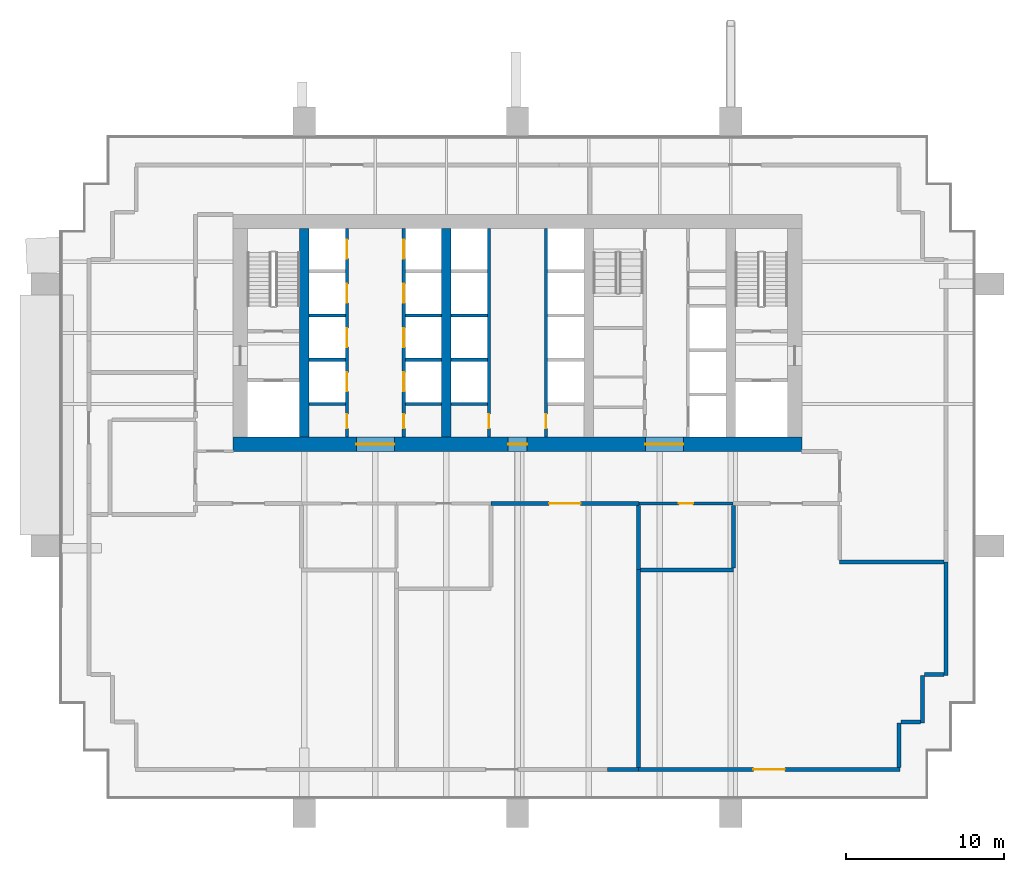
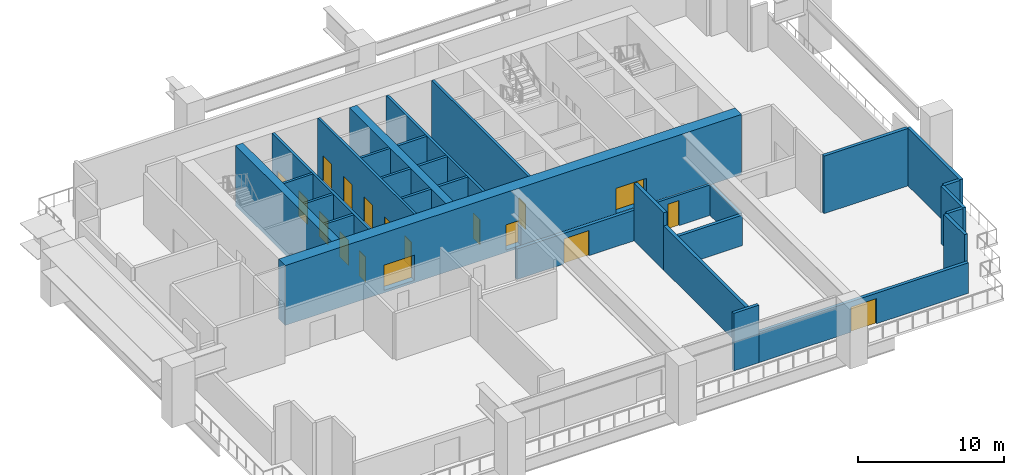
# One storey, part 3 of 9: 30 walls, 18 doors, 18 openings.
"""IFC4 building model written with IfcOpenShell, lengths in metres."""

import ifcopenshell
import ifcopenshell.guid

model = None  # the IFC model being written
_history = None  # IfcOwnerHistory: only IFC2X3 demands one
_inside = {}  # id of a spatial element -> (the spatial element, [elements in it])
_under = {}  # id of a project, library or spatial element -> (it, [spatial elements below it])
_declared = {}  # id of a project -> (the project, [libraries it declares])
_typed = {}  # id of a type object -> (the type object, [elements of that type])
_made_of = {}  # id of a material, layer set ... -> (it, [elements and type objects made of it])


def new_model(schema):
    """Start an empty IFC model of exactly this schema.

    Asked for "IFC4X3", IfcOpenShell would pick the latest addendum, in which some entities
    have other attributes; the version numbers below select the first issue.
    IFC2X3 requires an IfcOwnerHistory on every rooted entity: one is made here for all.
    """
    global model, _history
    if schema == "IFC4X3":
        model = ifcopenshell.file(schema_version=(4, 3, 0, 0))
    else:
        model = ifcopenshell.file(schema=schema)
    _inside.clear()
    _under.clear()
    _declared.clear()
    _typed.clear()
    _made_of.clear()
    _history = None
    if model.schema == "IFC2X3":
        org = make("IfcOrganization", Name="unknown")
        user = make(
            "IfcPersonAndOrganization",
            ThePerson=make("IfcPerson", FamilyName="unknown"),
            TheOrganization=org,
        )
        app = make(
            "IfcApplication",
            ApplicationDeveloper=org,
            Version="unknown",
            ApplicationFullName="unknown",
            ApplicationIdentifier="unknown",
        )
        _history = make(
            "IfcOwnerHistory",
            OwningUser=user,
            OwningApplication=app,
            ChangeAction="ADDED",
            CreationDate=0,
        )
    return model


def make(cls, **values):
    """One entity of the class cls with the attributes given. An attribute that is None is left unset."""
    return model.create_entity(
        cls, **{name: value for name, value in values.items() if value is not None}
    )


def rooted(cls, **values):
    """An entity with a GlobalId (a new one), such as an element, a storey or a relation."""
    return make(cls, GlobalId=ifcopenshell.guid.new(), OwnerHistory=_history, **values)


def si_unit(unit_type, name, prefix=None):
    """IfcSIUnit, for example si_unit("LENGTHUNIT", "METRE", prefix="MILLI")."""
    return make("IfcSIUnit", UnitType=unit_type, Prefix=prefix, Name=name)


def assignment(units):
    """IfcUnitAssignment: the units of a project."""
    return None if units is None else make("IfcUnitAssignment", Units=units)


def point(xyz):
    """IfcCartesianPoint."""
    return None if xyz is None else make("IfcCartesianPoint", Coordinates=xyz)


def direction(xyz):
    """IfcDirection."""
    return None if xyz is None else make("IfcDirection", DirectionRatios=xyz)


def frame(location, z_axis=None, x_axis=None):
    """IfcAxis2Placement3D, a coordinate frame: its origin and axes. An axis left out is left unset."""
    return make(
        "IfcAxis2Placement3D",
        Location=point(location),
        Axis=direction(z_axis),
        RefDirection=direction(x_axis),
    )


def frame_2d(location, x_axis=None):
    """IfcAxis2Placement2D, a coordinate frame in the plane: its origin and x axis."""
    return make(
        "IfcAxis2Placement2D", Location=point(location), RefDirection=direction(x_axis)
    )


def origin():
    """The frame at (0, 0, 0) with its axes left unset."""
    return frame((0.0, 0.0, 0.0))


def place(relative_to, where):
    """IfcLocalPlacement: puts the frame where relative to a parent placement (None: the world)."""
    return make(
        "IfcLocalPlacement", PlacementRelTo=relative_to, RelativePlacement=where
    )


def context(
    kind, dimensions, precision=None, world=None, true_north=None, identifier=None
):
    """IfcGeometricRepresentationContext, for example the 3D "Model" context."""
    return make(
        "IfcGeometricRepresentationContext",
        ContextIdentifier=identifier,
        ContextType=kind,
        CoordinateSpaceDimension=dimensions,
        Precision=precision,
        WorldCoordinateSystem=world,
        TrueNorth=true_north,
    )


def subcontext(parent, identifier, kind, view, scale=None):
    """IfcGeometricRepresentationSubContext, for example "Body" below "Model"."""
    return make(
        "IfcGeometricRepresentationSubContext",
        ContextIdentifier=identifier,
        ContextType=kind,
        ParentContext=parent,
        TargetScale=scale,
        TargetView=view,
    )


def project(units=None, contexts=None):
    """IfcProject with its units and contexts."""
    return rooted(
        "IfcProject",
        Name="project",
        RepresentationContexts=contexts,
        UnitsInContext=assignment(units),
    )


def spatial(cls, under=None, at=None, **own):
    """A site, building, storey or space (cls), placed at a placement, below another one or the project."""
    s = rooted(cls, ObjectPlacement=at, **own)
    if under is not None:
        _under.setdefault(under.id(), (under, []))[1].append(s)
    return s


def profile(cls, at=None, kind="AREA", **sizes):
    """A parametric profile (cls). Its sizes go by their IFC names, for example OverallWidth=200.0."""
    return make(cls, ProfileType=kind, Position=at, **sizes)


def rectangle(**sizes):
    """IfcRectangleProfileDef."""
    return profile("IfcRectangleProfileDef", **sizes)


def extrude(swept, where, along, depth):
    """IfcExtrudedAreaSolid: the profile swept, set in the frame where, extruded along a direction by depth."""
    return make(
        "IfcExtrudedAreaSolid",
        SweptArea=swept,
        Position=where,
        ExtrudedDirection=direction(along),
        Depth=depth,
    )


def shape(context_of_items, identifier, shape_type, items):
    """IfcShapeRepresentation: the items that make up one representation, for example the "Body"."""
    return make(
        "IfcShapeRepresentation",
        ContextOfItems=context_of_items,
        RepresentationIdentifier=identifier,
        RepresentationType=shape_type,
        Items=items,
    )


def material(Name=None, Category=None):
    """IfcMaterial."""
    return make("IfcMaterial", Name=Name, Category=Category)


def layer(
    of_material, thickness, ventilated=None, Name=None, Category=None, Priority=None
):
    """IfcMaterialLayer: one layer of a wall or slab, of a material (None: an air gap)."""
    return make(
        "IfcMaterialLayer",
        Material=of_material,
        LayerThickness=thickness,
        IsVentilated=ventilated,
        Name=Name,
        Category=Category,
        Priority=Priority,
    )


def layer_set(layers, Name=None):
    """IfcMaterialLayerSet."""
    return make("IfcMaterialLayerSet", MaterialLayers=layers, LayerSetName=Name)


def made_of(thing, what):
    """Note that an element or type object is made of a material, layer set ...; save() writes the relation."""
    if what is not None:
        _made_of.setdefault(what.id(), (what, []))[1].append(thing)
    return thing


def type_object(cls, material=None, **own):
    """A type object (cls), such as IfcWallType, which elements share."""
    return made_of(rooted(cls, **own), material)


def element(
    cls,
    number,
    at=None,
    inside=None,
    cuts=None,
    type_object=None,
    material=None,
    context=None,
    identifier="Body",
    shape_type=None,
    held_by="IfcProductDefinitionShape",
    body=None,
    shapes=None,
    **own,
):
    """One element of the class cls, such as IfcWall. Its Tag is "e" and its number.

    at: its placement. inside: the storey or other place that contains it. cuts: it is an
    opening in that element (IfcRelVoidsElement). A single representation is given by context,
    identifier, shape_type and body (its items); several are given by shapes. held_by: the class
    of the entity that holds the representations. save() writes the other relations.
    """
    e = rooted(cls, Tag="e%d" % number, ObjectPlacement=at, **own)
    if body is not None:
        shapes = [shape(context, identifier, shape_type, body)]
    if shapes is not None:
        e.Representation = make(held_by, Representations=shapes)
    if inside is not None:
        _inside.setdefault(inside.id(), (inside, []))[1].append(e)
    if cuts is not None:
        rooted(
            "IfcRelVoidsElement", RelatingBuildingElement=cuts, RelatedOpeningElement=e
        )
    if type_object is not None:
        _typed.setdefault(type_object.id(), (type_object, []))[1].append(e)
    return made_of(e, material)


def fill(opening, filler):
    """IfcRelFillsElement: the door or window that sits in an opening."""
    return rooted(
        "IfcRelFillsElement",
        RelatingOpeningElement=opening,
        RelatedBuildingElement=filler,
    )


def aggregate(whole, parts):
    """IfcRelAggregates: a whole, such as a stair, and the parts it consists of."""
    return rooted("IfcRelAggregates", RelatingObject=whole, RelatedObjects=parts)


def save(model, path):
    """Write the relations noted so far, then the file.

    IfcRelAggregates (storeys below a building ...), IfcRelContainedInSpatialStructure (elements
    in a storey), IfcRelDefinesByType, IfcRelAssociatesMaterial and IfcRelDeclares: one each for
    every whole, place, type object, material and project.
    """
    for whole, parts in _under.values():
        aggregate(whole, parts)
    for where, things in _inside.values():
        rooted(
            "IfcRelContainedInSpatialStructure",
            RelatedElements=things,
            RelatingStructure=where,
        )
    for kind, things in _typed.values():
        rooted("IfcRelDefinesByType", RelatedObjects=things, RelatingType=kind)
    for what, things in _made_of.values():
        rooted("IfcRelAssociatesMaterial", RelatedObjects=things, RelatingMaterial=what)
    for by, libraries in _declared.values():
        rooted("IfcRelDeclares", RelatingContext=by, RelatedDefinitions=libraries)
    model.write(path)


model = new_model("IFC4")

# Units and contexts
model_context = context("Model", 3, precision=1e-05, world=origin(), true_north=direction((0.0, 1.0)))
body_context = subcontext(model_context, "Body", "Model", "MODEL_VIEW")
ifc_project = project(units=[si_unit("LENGTHUNIT", "METRE"), si_unit("AREAUNIT", "SQUARE_METRE"), si_unit("VOLUMEUNIT", "CUBIC_METRE"), si_unit("PLANEANGLEUNIT", "RADIAN"), si_unit("MASSUNIT", "GRAM", prefix="KILO")], contexts=[model_context])

# Site, building, storey
site_placement = place(None, origin())
site = spatial("IfcSite", under=ifc_project, at=site_placement, CompositionType="ELEMENT")
building_placement = place(site_placement, origin())
building = spatial("IfcBuilding", under=site, at=building_placement, Name="Rattan Terrace Tower", CompositionType="ELEMENT")
storey_placement = place(building_placement, frame((0.0, 0.0, 158.10009765625)))
storey = spatial("IfcBuildingStorey", under=building, at=storey_placement, Name="L36", CompositionType="ELEMENT", Elevation=158.10009765625)

# Wall, openings, doors
ifc_material_1 = material(Name="Concrete C60/75", Category="concrete")
ifc_layer_1 = layer(ifc_material_1, 0.89990234375)
ifc_layer_set_1 = layer_set([ifc_layer_1], Name="Core ring wall 900 C60/75")
wall_type_1 = type_object("IfcWallType", Name="Core ring wall 900 C60/75", PredefinedType="SHEAR", material=ifc_layer_set_1)
wall_1_placement = place(storey_placement, frame((-18.0, -7.050048828125, -0.2001953125), z_axis=(0.0, 0.0, 1.0), x_axis=(1.0, 0.0, 0.0)))
wall_1 = element("IfcWall", 1, at=wall_1_placement, inside=storey, type_object=wall_type_1, Name="Rear core wall south", PredefinedType="SHEAR", context=body_context, shape_type="SweptSolid", body=[
    extrude(rectangle(XDim=36.0, YDim=0.89990234375, at=frame_2d((18.0, 0.0))), origin(), (0.0, 0.0, 1.0), 5.0),
])
opening_1_placement = place(wall_1_placement, frame((7.800048828125, 0.0, 0.199951171875)))
opening_1 = element("IfcOpeningElement", 2, at=opening_1_placement, cuts=wall_1, Name="Opening L36-D007", PredefinedType="OPENING", context=body_context, shape_type="SweptSolid", body=[
    extrude(rectangle(XDim=2.39990234375, YDim=2.10009765625, at=frame_2d((1.199951171875, 1.050048828125))), frame((0.0, 0.46044921875, 0.0), z_axis=(0.0, -1.0, 0.0), x_axis=(1.0, 0.0, 0.0)), (0.0, 0.0, 1.0), 0.9208984375),
])
opening_2_placement = place(wall_1_placement, frame((17.39990234375, 0.0, 0.199951171875)))
opening_2 = element("IfcOpeningElement", 3, at=opening_2_placement, cuts=wall_1, Name="Opening L36-D010", PredefinedType="OPENING", context=body_context, shape_type="SweptSolid", body=[
    extrude(rectangle(XDim=1.199951171875, YDim=2.10009765625, at=frame_2d((0.60009765625, 1.050048828125))), frame((0.0, 0.46044921875, 0.0), z_axis=(0.0, -1.0, 0.0), x_axis=(1.0, 0.0, 0.0)), (0.0, 0.0, 1.0), 0.9208984375),
])
opening_3_placement = place(wall_1_placement, frame((26.10009765625, 0.0, 0.199951171875)))
opening_3 = element("IfcOpeningElement", 4, at=opening_3_placement, cuts=wall_1, Name="Opening L36-D015", PredefinedType="OPENING", context=body_context, shape_type="SweptSolid", body=[
    extrude(rectangle(XDim=2.39990234375, YDim=2.10009765625, at=frame_2d((1.199951171875, 1.050048828125))), frame((0.0, 0.46044921875, 0.0), z_axis=(0.0, -1.0, 0.0), x_axis=(1.0, 0.0, 0.0)), (0.0, 0.0, 1.0), 0.9208984375),
])
ifc_material_2 = material(Name="Hollow-metal fire door leaf")
door_type_1 = type_object("IfcDoorType", Name="Core lift lobby door 2400", OperationType="NOTDEFINED", PredefinedType="DOOR", material=ifc_material_2)
door_1_placement = place(opening_1_placement, origin())
door_1 = element("IfcDoor", 5, at=door_1_placement, inside=storey, type_object=door_type_1, Name="Door L36-D007", OperationType="DOUBLE_DOOR_DOUBLE_SWING", OverallHeight=2.10009765625, OverallWidth=2.39990234375, PredefinedType="DOOR", context=body_context, shape_type="SweptSolid", body=[
    extrude(rectangle(XDim=2.39990234375, YDim=2.10009765625, at=frame_2d((1.199951171875, 1.050048828125))), frame((0.0, 0.02490234375, 0.0), z_axis=(0.0, -1.0, 0.0), x_axis=(1.0, 0.0, 0.0)), (0.0, 0.0, 1.0), 0.050048828125),
])
fill(opening_1, door_1)
door_2_placement = place(opening_3_placement, origin())
door_2 = element("IfcDoor", 6, at=door_2_placement, inside=storey, type_object=door_type_1, Name="Door L36-D015", OperationType="DOUBLE_DOOR_DOUBLE_SWING", OverallHeight=2.10009765625, OverallWidth=2.39990234375, PredefinedType="DOOR", context=body_context, shape_type="SweptSolid", body=[
    extrude(rectangle(XDim=2.39990234375, YDim=2.10009765625, at=frame_2d((1.199951171875, 1.050048828125))), frame((0.0, 0.02490234375, 0.0), z_axis=(0.0, -1.0, 0.0), x_axis=(1.0, 0.0, 0.0)), (0.0, 0.0, 1.0), 0.050048828125),
])
fill(opening_3, door_2)
ifc_material_3 = material(Name="Hollow-metal fire door leaf")
door_type_2 = type_object("IfcDoorType", Name="Core riser door 1200", OperationType="NOTDEFINED", PredefinedType="DOOR", material=ifc_material_3)
door_3_placement = place(opening_2_placement, origin())
door_3 = element("IfcDoor", 7, at=door_3_placement, inside=storey, type_object=door_type_2, Name="Door L36-D010", OperationType="SINGLE_SWING_LEFT", OverallHeight=2.10009765625, OverallWidth=1.199951171875, PredefinedType="DOOR", context=body_context, shape_type="SweptSolid", body=[
    extrude(rectangle(XDim=1.199951171875, YDim=2.10009765625, at=frame_2d((0.60009765625, 1.050048828125))), frame((0.0, 0.02490234375, 0.0), z_axis=(0.0, -1.0, 0.0), x_axis=(1.0, 0.0, 0.0)), (0.0, 0.0, 1.0), 0.050048828125),
])
fill(opening_2, door_3)

# Walls
ifc_material_4 = material(Name="Concrete C60/75", Category="concrete")
ifc_layer_2 = layer(ifc_material_4, 0.60009765625)
ifc_layer_set_2 = layer_set([ifc_layer_2], Name="Core spine wall 600 C60/75")
wall_type_2 = type_object("IfcWallType", Name="Core spine wall 600 C60/75", PredefinedType="SHEAR", material=ifc_layer_set_2)
for number, where, z_axis, x_axis, name in (
    (8, (-13.5, -6.60009765625, -0.2001953125), (0.0, 0.0, 1.0), (0.0, 1.0, 0.0), "Core spine wall 1"),
    (9, (-4.5, -6.60009765625, -0.2001953125), (0.0, 0.0, 1.0), (0.0, 1.0, 0.0), "Core spine wall 2"),
):
    element("IfcWall", number, at=place(storey_placement, frame(where, z_axis=z_axis, x_axis=x_axis)), inside=storey, type_object=wall_type_2, Name=name, PredefinedType="SHEAR", context=body_context, shape_type="SweptSolid", body=[
        extrude(rectangle(XDim=13.2001953125, YDim=0.60009765625, at=frame_2d((6.60009765625, 0.0))), origin(), (0.0, 0.0, 1.0), 5.0),
    ])

# Wall, opening, door
ifc_material_5 = material(Name="Concrete block wall, plastered", Category="concrete")
ifc_layer_3 = layer(ifc_material_5, 0.199951171875)
ifc_layer_set_3 = layer_set([ifc_layer_3], Name="Floors Plant Wall 200")
wall_type_3 = type_object("IfcWallType", Name="Floors Plant Wall 200", PredefinedType="PARTITIONING", material=ifc_layer_set_3)
wall_2_placement = place(storey_placement, frame((13.64697265625, -10.799072265625, 0.0), z_axis=(0.0, 0.0, 1.0), x_axis=(-1.0, 0.0, 0.0)))
wall_2 = element("IfcWall", 10, at=wall_2_placement, inside=storey, type_object=wall_type_3, Name="pt-L36-007", PredefinedType="PARTITIONING", context=body_context, shape_type="SweptSolid", body=[
    extrude(rectangle(XDim=5.9599609375, YDim=0.199951171875, at=frame_2d((2.97998046875, 0.0))), origin(), (0.0, 0.0, 1.0), 2.5498046875),
])
opening_4_placement = place(wall_2_placement, frame((2.530029296875, 0.0, 0.0)))
opening_4 = element("IfcOpeningElement", 11, at=opening_4_placement, cuts=wall_2, Name="Opening L36-D112", PredefinedType="OPENING", context=body_context, shape_type="SweptSolid", body=[
    extrude(rectangle(XDim=0.89990234375, YDim=2.10009765625, at=frame_2d((0.449951171875, 1.050048828125))), frame((0.0, 0.110595703125, 0.0), z_axis=(0.0, -1.0, 0.0), x_axis=(1.0, 0.0, 0.0)), (0.0, 0.0, 1.0), 0.220947265625),
])
ifc_material_6 = material(Name="Steel fire door set", Category="steel")
door_type_3 = type_object("IfcDoorType", Name="Floors Fire Door FD60 900x2100", OperationType="NOTDEFINED", PredefinedType="DOOR", material=ifc_material_6)
door_4_placement = place(opening_4_placement, origin())
door_4 = element("IfcDoor", 12, at=door_4_placement, inside=storey, type_object=door_type_3, Name="d-L36-112", OperationType="SINGLE_SWING_LEFT", OverallHeight=2.10009765625, OverallWidth=0.89990234375, PredefinedType="DOOR", context=body_context, shape_type="SweptSolid", body=[
    extrude(rectangle(XDim=0.89990234375, YDim=2.10009765625, at=frame_2d((0.449951171875, 1.050048828125))), frame((0.0, 0.02490234375, 0.0), z_axis=(0.0, -1.0, 0.0), x_axis=(1.0, 0.0, 0.0)), (0.0, 0.0, 1.0), 0.050048828125),
])
fill(opening_4, door_4)

ifc_material_7 = material(Name="Reinforced concrete wall, painted", Category="concrete")
ifc_layer_4 = layer(ifc_material_7, 0.25)
ifc_layer_set_4 = layer_set([ifc_layer_4], Name="Floors Refuge Wall 250")
wall_type_4 = type_object("IfcWallType", Name="Floors Refuge Wall 250", PredefinedType="PARTITIONING", material=ifc_layer_set_4)
wall_3_placement = place(storey_placement, frame((7.68701171875, -10.800048828125, 0.0), z_axis=(0.0, 0.0, 1.0), x_axis=(-1.0, 0.0, 0.0)))
wall_3 = element("IfcWall", 13, at=wall_3_placement, inside=storey, type_object=wall_type_4, Name="pt-L36-006", PredefinedType="PARTITIONING", context=body_context, shape_type="SweptSolid", body=[
    extrude(rectangle(XDim=9.3740234375, YDim=0.25, at=frame_2d((4.68701171875, 0.0))), origin(), (0.0, 0.0, 1.0), 2.5498046875),
])
opening_5_placement = place(wall_3_placement, frame((3.68701171875, 0.0, 0.0)))
opening_5 = element("IfcOpeningElement", 14, at=opening_5_placement, cuts=wall_3, Name="Opening L36-D110", PredefinedType="OPENING", context=body_context, shape_type="SweptSolid", body=[
    extrude(rectangle(XDim=2.0, YDim=2.10009765625, at=frame_2d((1.0, 1.050048828125))), frame((0.0, 0.135498046875, 0.0), z_axis=(0.0, -1.0, 0.0), x_axis=(1.0, 0.0, 0.0)), (0.0, 0.0, 1.0), 0.27099609375),
])
ifc_material_8 = material(Name="Steel fire door set", Category="steel")
door_type_4 = type_object("IfcDoorType", Name="Floors Plant Equipment Door Pair FD120 2000x2100", OperationType="NOTDEFINED", PredefinedType="DOOR", material=ifc_material_8)
door_5_placement = place(opening_5_placement, origin())
door_5 = element("IfcDoor", 15, at=door_5_placement, inside=storey, type_object=door_type_4, Name="d-L36-110", OperationType="DOUBLE_DOOR_SINGLE_SWING", OverallHeight=2.10009765625, OverallWidth=2.0, PredefinedType="DOOR", context=body_context, shape_type="SweptSolid", body=[
    extrude(rectangle(XDim=2.0, YDim=2.10009765625, at=frame_2d((1.0, 1.050048828125))), frame((0.0, 0.02490234375, 0.0), z_axis=(0.0, -1.0, 0.0), x_axis=(1.0, 0.0, 0.0)), (0.0, 0.0, 1.0), 0.050048828125),
])
fill(opening_5, door_5)

# Walls
wall_4_placement = place(storey_placement, frame((7.6669921875, -10.925048828125, 0.0), z_axis=(0.0, 0.0, 1.0), x_axis=(0.0, -1.0, 0.0)))
element("IfcWall", 16, at=wall_4_placement, inside=storey, type_object=wall_type_4, Name="pt-L36-046", PredefinedType="PARTITIONING", context=body_context, shape_type="SweptSolid", body=[
    extrude(rectangle(XDim=4.054931640625, YDim=0.25, at=frame_2d((2.02734375, 0.0))), origin(), (0.0, 0.0, 1.0), 4.7998046875),
])
wall_5_placement = place(storey_placement, frame((7.6669921875, -14.97998046875, 0.0), z_axis=(0.0, 0.0, 1.0), x_axis=(0.0, -1.0, 0.0)))
element("IfcWall", 17, at=wall_5_placement, inside=storey, type_object=wall_type_4, Name="pt-L36-047", PredefinedType="PARTITIONING", context=body_context, shape_type="SweptSolid", body=[
    extrude(rectangle(XDim=12.533935546875, YDim=0.25, at=frame_2d((6.26708984375, 0.0))), origin(), (0.0, 0.0, 1.0), 3.699951171875),
])
wall_6_placement = place(storey_placement, frame((7.6669921875, -27.638916015625, 0.0), z_axis=(0.0, 0.0, 1.0), x_axis=(-1.0, 0.0, 0.0)))
element("IfcWall", 18, at=wall_6_placement, inside=storey, type_object=wall_type_4, Name="pt-L36-048", PredefinedType="PARTITIONING", context=body_context, shape_type="SweptSolid", body=[
    extrude(rectangle(XDim=1.97998046875, YDim=0.25, at=frame_2d((0.989990234375, 0.0))), origin(), (0.0, 0.0, 1.0), 4.7998046875),
])
wall_7_placement = place(storey_placement, frame((13.6669921875, -14.9990234375, 0.0), z_axis=(0.0, 0.0, 1.0), x_axis=(-1.0, 0.0, 0.0)))
element("IfcWall", 19, at=wall_7_placement, inside=storey, type_object=wall_type_4, Name="pt-L36-050", PredefinedType="PARTITIONING", context=body_context, shape_type="SweptSolid", body=[
    extrude(rectangle(XDim=5.875, YDim=0.25, at=frame_2d((2.9375, 0.0))), origin(), (0.0, 0.0, 1.0), 2.5498046875),
])
wall_8_placement = place(storey_placement, frame((13.6669921875, -10.925048828125, 0.0), z_axis=(0.0, 0.0, 1.0), x_axis=(0.0, -1.0, 0.0)))
element("IfcWall", 20, at=wall_8_placement, inside=storey, type_object=wall_type_4, Name="pt-L36-051", PredefinedType="PARTITIONING", context=body_context, shape_type="SweptSolid", body=[
    extrude(rectangle(XDim=3.948974609375, YDim=0.25, at=frame_2d((1.974609375, 0.0))), origin(), (0.0, 0.0, 1.0), 2.5498046875),
])
wall_9_placement = place(storey_placement, frame((20.39990234375, -14.4990234375, 0.0), z_axis=(0.0, 0.0, 1.0), x_axis=(1.0, 0.0, 0.0)))
element("IfcWall", 21, at=wall_9_placement, inside=storey, type_object=wall_type_4, Name="pt-L36-052", PredefinedType="PARTITIONING", context=body_context, shape_type="SweptSolid", body=[
    extrude(rectangle(XDim=6.613037109375, YDim=0.25, at=frame_2d((3.306640625, 0.0))), origin(), (0.0, 0.0, 1.0), 4.7998046875),
])
wall_10_placement = place(storey_placement, frame((24.138916015625, -24.699951171875, 0.0), z_axis=(0.0, 0.0, 1.0), x_axis=(0.0, -1.0, 0.0)))
element("IfcWall", 22, at=wall_10_placement, inside=storey, type_object=wall_type_4, Name="pt-L36-054", PredefinedType="PARTITIONING", context=body_context, shape_type="SweptSolid", body=[
    extrude(rectangle(XDim=2.81396484375, YDim=0.25, at=frame_2d((1.406982421875, 0.0))), origin(), (0.0, 0.0, 1.0), 4.7998046875),
])

# Wall, opening, door
wall_11_placement = place(storey_placement, frame((7.6669921875, -27.638916015625, 0.0), z_axis=(0.0, 0.0, 1.0), x_axis=(1.0, 0.0, 0.0)))
wall_11 = element("IfcWall", 23, at=wall_11_placement, inside=storey, type_object=wall_type_4, Name="pt-L36-055", PredefinedType="PARTITIONING", context=body_context, shape_type="SweptSolid", body=[
    extrude(rectangle(XDim=16.532958984375, YDim=0.25, at=frame_2d((8.2666015625, 0.0))), origin(), (0.0, 0.0, 1.0), 2.5498046875),
])
opening_6_placement = place(wall_11_placement, frame((7.26708984375, 0.0, 0.0)))
opening_6 = element("IfcOpeningElement", 24, at=opening_6_placement, cuts=wall_11, Name="Opening L36-D114", PredefinedType="OPENING", context=body_context, shape_type="SweptSolid", body=[
    extrude(rectangle(XDim=2.0, YDim=2.10009765625, at=frame_2d((1.0, 1.050048828125))), frame((0.0, 0.135498046875, 0.0), z_axis=(0.0, -1.0, 0.0), x_axis=(1.0, 0.0, 0.0)), (0.0, 0.0, 1.0), 0.27099609375),
])
door_6_placement = place(opening_6_placement, origin())
door_6 = element("IfcDoor", 25, at=door_6_placement, inside=storey, type_object=door_type_4, Name="d-L36-114", OperationType="DOUBLE_DOOR_SINGLE_SWING", OverallHeight=2.10009765625, OverallWidth=2.0, PredefinedType="DOOR", context=body_context, shape_type="SweptSolid", body=[
    extrude(rectangle(XDim=2.0, YDim=2.10009765625, at=frame_2d((1.0, 1.050048828125))), frame((0.0, 0.02490234375, 0.0), z_axis=(0.0, -1.0, 0.0), x_axis=(1.0, 0.0, 0.0)), (0.0, 0.0, 1.0), 0.050048828125),
])
fill(opening_6, door_6)

# Walls
wall_12_placement = place(storey_placement, frame((25.513916015625, -24.637939453125, 0.0), z_axis=(0.0, 0.0, 1.0), x_axis=(-1.0, 0.0, 0.0)))
element("IfcWall", 26, at=wall_12_placement, inside=storey, type_object=wall_type_4, Name="pt-L36-056", PredefinedType="PARTITIONING", context=body_context, shape_type="SweptSolid", body=[
    extrude(rectangle(XDim=1.25, YDim=0.25, at=frame_2d((0.625, 0.0))), origin(), (0.0, 0.0, 1.0), 4.7998046875),
])
wall_13_placement = place(storey_placement, frame((25.638916015625, -21.699951171875, 0.0), z_axis=(0.0, 0.0, 1.0), x_axis=(0.0, -1.0, 0.0)))
element("IfcWall", 27, at=wall_13_placement, inside=storey, type_object=wall_type_4, Name="pt-L36-057", PredefinedType="PARTITIONING", context=body_context, shape_type="SweptSolid", body=[
    extrude(rectangle(XDim=3.0, YDim=0.25, at=frame_2d((1.5, 0.0))), origin(), (0.0, 0.0, 1.0), 4.7998046875),
])
wall_14_placement = place(storey_placement, frame((27.012939453125, -21.638916015625, 0.0), z_axis=(0.0, 0.0, 1.0), x_axis=(-1.0, 0.0, 0.0)))
element("IfcWall", 28, at=wall_14_placement, inside=storey, type_object=wall_type_4, Name="pt-L36-058", PredefinedType="PARTITIONING", context=body_context, shape_type="SweptSolid", body=[
    extrude(rectangle(XDim=1.2490234375, YDim=0.25, at=frame_2d((0.62451171875, 0.0))), origin(), (0.0, 0.0, 1.0), 4.7998046875),
])
wall_15_placement = place(storey_placement, frame((27.137939453125, -14.5, 0.0), z_axis=(0.0, 0.0, 1.0), x_axis=(0.0, -1.0, 0.0)))
element("IfcWall", 29, at=wall_15_placement, inside=storey, type_object=wall_type_4, Name="pt-L36-059", PredefinedType="PARTITIONING", context=body_context, shape_type="SweptSolid", body=[
    extrude(rectangle(XDim=7.199951171875, YDim=0.25, at=frame_2d((3.60009765625, 0.0))), origin(), (0.0, 0.0, 1.0), 4.7998046875),
])

# Wall, openings, doors
ifc_material_9 = material(Name="Gypsum shaft wall system")
ifc_layer_5 = layer(ifc_material_9, 0.199951171875)
ifc_layer_set_5 = layer_set([ifc_layer_5], Name="Lift shaft wall 200")
wall_type_5 = type_object("IfcWallType", Name="Lift shaft wall 200", PredefinedType="PARTITIONING", material=ifc_layer_set_5)
wall_16_placement = place(storey_placement, frame((-10.800048828125, -6.60009765625, 0.0), z_axis=(0.0, 0.0, 1.0), x_axis=(0.0, 1.0, 0.0)))
wall_16 = element("IfcWall", 30, at=wall_16_placement, inside=storey, type_object=wall_type_5, Name="Lift shaft front wall", PredefinedType="PARTITIONING", context=body_context, shape_type="SweptSolid", body=[
    extrude(rectangle(XDim=13.2001953125, YDim=0.199951171875, at=frame_2d((6.60009765625, 0.0))), origin(), (0.0, 0.0, 1.0), 4.7998046875),
])
opening_7_placement = place(wall_16_placement, frame((0.550048828125, 0.0, 0.0)))
opening_7 = element("IfcOpeningElement", 31, at=opening_7_placement, cuts=wall_16, Name="Opening L36-D005", PredefinedType="OPENING", context=body_context, shape_type="SweptSolid", body=[
    extrude(rectangle(XDim=0.89990234375, YDim=2.10009765625, at=frame_2d((0.449951171875, 1.050048828125))), frame((0.0, 0.110595703125, 0.0), z_axis=(0.0, -1.0, 0.0), x_axis=(1.0, 0.0, 0.0)), (0.0, 0.0, 1.0), 0.220947265625),
])
opening_8_placement = place(wall_16_placement, frame((2.89990234375, 0.0, 0.0)))
opening_8 = element("IfcOpeningElement", 32, at=opening_8_placement, cuts=wall_16, Name="Opening L36-LD-LR1", PredefinedType="OPENING", context=body_context, shape_type="SweptSolid", body=[
    extrude(rectangle(XDim=1.199951171875, YDim=2.10009765625, at=frame_2d((0.60009765625, 1.050048828125))), frame((0.0, 0.110595703125, 0.0), z_axis=(0.0, -1.0, 0.0), x_axis=(1.0, 0.0, 0.0)), (0.0, 0.0, 1.0), 0.220947265625),
])
opening_9_placement = place(wall_16_placement, frame((5.699951171875, 0.0, 0.0)))
opening_9 = element("IfcOpeningElement", 33, at=opening_9_placement, cuts=wall_16, Name="Opening L36-LD-LR2", PredefinedType="OPENING", context=body_context, shape_type="SweptSolid", body=[
    extrude(rectangle(XDim=1.199951171875, YDim=2.10009765625, at=frame_2d((0.60009765625, 1.050048828125))), frame((0.0, 0.110595703125, 0.0), z_axis=(0.0, -1.0, 0.0), x_axis=(1.0, 0.0, 0.0)), (0.0, 0.0, 1.0), 0.220947265625),
])
opening_10_placement = place(wall_16_placement, frame((8.5, 0.0, 0.0)))
opening_10 = element("IfcOpeningElement", 34, at=opening_10_placement, cuts=wall_16, Name="Opening L36-LD-LR3", PredefinedType="OPENING", context=body_context, shape_type="SweptSolid", body=[
    extrude(rectangle(XDim=1.199951171875, YDim=2.10009765625, at=frame_2d((0.60009765625, 1.050048828125))), frame((0.0, 0.110595703125, 0.0), z_axis=(0.0, -1.0, 0.0), x_axis=(1.0, 0.0, 0.0)), (0.0, 0.0, 1.0), 0.220947265625),
])
opening_11_placement = place(wall_16_placement, frame((11.300048828125, 0.0, 0.0)))
opening_11 = element("IfcOpeningElement", 35, at=opening_11_placement, cuts=wall_16, Name="Opening L36-LD-LR4", PredefinedType="OPENING", context=body_context, shape_type="SweptSolid", body=[
    extrude(rectangle(XDim=1.199951171875, YDim=2.10009765625, at=frame_2d((0.60009765625, 1.050048828125))), frame((0.0, 0.110595703125, 0.0), z_axis=(0.0, -1.0, 0.0), x_axis=(1.0, 0.0, 0.0)), (0.0, 0.0, 1.0), 0.220947265625),
])
ifc_material_10 = material(Name="Brushed stainless landing door panel")
door_type_5 = type_object("IfcDoorType", Name="Core lift landing door 1200", OperationType="DOUBLE_DOOR_SLIDING", PredefinedType="DOOR", material=ifc_material_10)
door_7_placement = place(opening_8_placement, origin())
door_7 = element("IfcDoor", 36, at=door_7_placement, inside=storey, type_object=door_type_5, Name="Door L36-LD-LR1", OperationType="DOUBLE_DOOR_SLIDING", OverallHeight=2.10009765625, OverallWidth=1.199951171875, PredefinedType="DOOR", context=body_context, shape_type="SweptSolid", body=[
    extrude(rectangle(XDim=1.199951171875, YDim=2.10009765625, at=frame_2d((0.60009765625, 1.050048828125))), frame((0.0, 0.02490234375, 0.0), z_axis=(0.0, -1.0, 0.0), x_axis=(1.0, 0.0, 0.0)), (0.0, 0.0, 1.0), 0.050048828125),
])
fill(opening_8, door_7)
door_8_placement = place(opening_9_placement, origin())
door_8 = element("IfcDoor", 37, at=door_8_placement, inside=storey, type_object=door_type_5, Name="Door L36-LD-LR2", OperationType="DOUBLE_DOOR_SLIDING", OverallHeight=2.10009765625, OverallWidth=1.199951171875, PredefinedType="DOOR", context=body_context, shape_type="SweptSolid", body=[
    extrude(rectangle(XDim=1.199951171875, YDim=2.10009765625, at=frame_2d((0.60009765625, 1.050048828125))), frame((0.0, 0.02490234375, 0.0), z_axis=(0.0, -1.0, 0.0), x_axis=(1.0, 0.0, 0.0)), (0.0, 0.0, 1.0), 0.050048828125),
])
fill(opening_9, door_8)
door_9_placement = place(opening_10_placement, origin())
door_9 = element("IfcDoor", 38, at=door_9_placement, inside=storey, type_object=door_type_5, Name="Door L36-LD-LR3", OperationType="DOUBLE_DOOR_SLIDING", OverallHeight=2.10009765625, OverallWidth=1.199951171875, PredefinedType="DOOR", context=body_context, shape_type="SweptSolid", body=[
    extrude(rectangle(XDim=1.199951171875, YDim=2.10009765625, at=frame_2d((0.60009765625, 1.050048828125))), frame((0.0, 0.02490234375, 0.0), z_axis=(0.0, -1.0, 0.0), x_axis=(1.0, 0.0, 0.0)), (0.0, 0.0, 1.0), 0.050048828125),
])
fill(opening_10, door_9)
door_10_placement = place(opening_11_placement, origin())
door_10 = element("IfcDoor", 39, at=door_10_placement, inside=storey, type_object=door_type_5, Name="Door L36-LD-LR4", OperationType="DOUBLE_DOOR_SLIDING", OverallHeight=2.10009765625, OverallWidth=1.199951171875, PredefinedType="DOOR", context=body_context, shape_type="SweptSolid", body=[
    extrude(rectangle(XDim=1.199951171875, YDim=2.10009765625, at=frame_2d((0.60009765625, 1.050048828125))), frame((0.0, 0.02490234375, 0.0), z_axis=(0.0, -1.0, 0.0), x_axis=(1.0, 0.0, 0.0)), (0.0, 0.0, 1.0), 0.050048828125),
])
fill(opening_11, door_10)
ifc_material_11 = material(Name="Hollow-metal fire door leaf")
door_type_6 = type_object("IfcDoorType", Name="Core riser door 900", OperationType="NOTDEFINED", PredefinedType="DOOR", material=ifc_material_11)
door_11_placement = place(opening_7_placement, origin())
door_11 = element("IfcDoor", 40, at=door_11_placement, inside=storey, type_object=door_type_6, Name="Door L36-D005", OperationType="SINGLE_SWING_LEFT", OverallHeight=2.10009765625, OverallWidth=0.89990234375, PredefinedType="DOOR", context=body_context, shape_type="SweptSolid", body=[
    extrude(rectangle(XDim=0.89990234375, YDim=2.10009765625, at=frame_2d((0.449951171875, 1.050048828125))), frame((0.0, 0.02490234375, 0.0), z_axis=(0.0, -1.0, 0.0), x_axis=(1.0, 0.0, 0.0)), (0.0, 0.0, 1.0), 0.050048828125),
])
fill(opening_7, door_11)

wall_17_placement = place(storey_placement, frame((-7.199951171875, -6.60009765625, 0.0), z_axis=(0.0, 0.0, 1.0), x_axis=(0.0, 1.0, 0.0)))
wall_17 = element("IfcWall", 41, at=wall_17_placement, inside=storey, type_object=wall_type_5, Name="Lift shaft front wall", PredefinedType="PARTITIONING", context=body_context, shape_type="SweptSolid", body=[
    extrude(rectangle(XDim=13.2001953125, YDim=0.199951171875, at=frame_2d((6.60009765625, 0.0))), origin(), (0.0, 0.0, 1.0), 4.7998046875),
])
opening_12_placement = place(wall_17_placement, frame((0.550048828125, 0.0, 0.0)))
opening_12 = element("IfcOpeningElement", 42, at=opening_12_placement, cuts=wall_17, Name="Opening L36-D006", PredefinedType="OPENING", context=body_context, shape_type="SweptSolid", body=[
    extrude(rectangle(XDim=0.89990234375, YDim=2.10009765625, at=frame_2d((0.449951171875, 1.050048828125))), frame((0.0, 0.110595703125, 0.0), z_axis=(0.0, -1.0, 0.0), x_axis=(1.0, 0.0, 0.0)), (0.0, 0.0, 1.0), 0.220947265625),
])
opening_13_placement = place(wall_17_placement, frame((2.89990234375, 0.0, 0.0)))
opening_13 = element("IfcOpeningElement", 43, at=opening_13_placement, cuts=wall_17, Name="Opening L36-LD-LR5", PredefinedType="OPENING", context=body_context, shape_type="SweptSolid", body=[
    extrude(rectangle(XDim=1.199951171875, YDim=2.10009765625, at=frame_2d((0.60009765625, 1.050048828125))), frame((0.0, 0.110595703125, 0.0), z_axis=(0.0, -1.0, 0.0), x_axis=(1.0, 0.0, 0.0)), (0.0, 0.0, 1.0), 0.220947265625),
])
opening_14_placement = place(wall_17_placement, frame((5.699951171875, 0.0, 0.0)))
opening_14 = element("IfcOpeningElement", 44, at=opening_14_placement, cuts=wall_17, Name="Opening L36-LD-LR6", PredefinedType="OPENING", context=body_context, shape_type="SweptSolid", body=[
    extrude(rectangle(XDim=1.199951171875, YDim=2.10009765625, at=frame_2d((0.60009765625, 1.050048828125))), frame((0.0, 0.110595703125, 0.0), z_axis=(0.0, -1.0, 0.0), x_axis=(1.0, 0.0, 0.0)), (0.0, 0.0, 1.0), 0.220947265625),
])
opening_15_placement = place(wall_17_placement, frame((8.5, 0.0, 0.0)))
opening_15 = element("IfcOpeningElement", 45, at=opening_15_placement, cuts=wall_17, Name="Opening L36-LD-LR7", PredefinedType="OPENING", context=body_context, shape_type="SweptSolid", body=[
    extrude(rectangle(XDim=1.199951171875, YDim=2.10009765625, at=frame_2d((0.60009765625, 1.050048828125))), frame((0.0, 0.110595703125, 0.0), z_axis=(0.0, -1.0, 0.0), x_axis=(1.0, 0.0, 0.0)), (0.0, 0.0, 1.0), 0.220947265625),
])
opening_16_placement = place(wall_17_placement, frame((11.300048828125, 0.0, 0.0)))
opening_16 = element("IfcOpeningElement", 46, at=opening_16_placement, cuts=wall_17, Name="Opening L36-LD-LR8", PredefinedType="OPENING", context=body_context, shape_type="SweptSolid", body=[
    extrude(rectangle(XDim=1.199951171875, YDim=2.10009765625, at=frame_2d((0.60009765625, 1.050048828125))), frame((0.0, 0.110595703125, 0.0), z_axis=(0.0, -1.0, 0.0), x_axis=(1.0, 0.0, 0.0)), (0.0, 0.0, 1.0), 0.220947265625),
])
door_12_placement = place(opening_13_placement, origin())
door_12 = element("IfcDoor", 47, at=door_12_placement, inside=storey, type_object=door_type_5, Name="Door L36-LD-LR5", OperationType="DOUBLE_DOOR_SLIDING", OverallHeight=2.10009765625, OverallWidth=1.199951171875, PredefinedType="DOOR", context=body_context, shape_type="SweptSolid", body=[
    extrude(rectangle(XDim=1.199951171875, YDim=2.10009765625, at=frame_2d((0.60009765625, 1.050048828125))), frame((0.0, 0.02490234375, 0.0), z_axis=(0.0, -1.0, 0.0), x_axis=(1.0, 0.0, 0.0)), (0.0, 0.0, 1.0), 0.050048828125),
])
fill(opening_13, door_12)
door_13_placement = place(opening_14_placement, origin())
door_13 = element("IfcDoor", 48, at=door_13_placement, inside=storey, type_object=door_type_5, Name="Door L36-LD-LR6", OperationType="DOUBLE_DOOR_SLIDING", OverallHeight=2.10009765625, OverallWidth=1.199951171875, PredefinedType="DOOR", context=body_context, shape_type="SweptSolid", body=[
    extrude(rectangle(XDim=1.199951171875, YDim=2.10009765625, at=frame_2d((0.60009765625, 1.050048828125))), frame((0.0, 0.02490234375, 0.0), z_axis=(0.0, -1.0, 0.0), x_axis=(1.0, 0.0, 0.0)), (0.0, 0.0, 1.0), 0.050048828125),
])
fill(opening_14, door_13)
door_14_placement = place(opening_15_placement, origin())
door_14 = element("IfcDoor", 49, at=door_14_placement, inside=storey, type_object=door_type_5, Name="Door L36-LD-LR7", OperationType="DOUBLE_DOOR_SLIDING", OverallHeight=2.10009765625, OverallWidth=1.199951171875, PredefinedType="DOOR", context=body_context, shape_type="SweptSolid", body=[
    extrude(rectangle(XDim=1.199951171875, YDim=2.10009765625, at=frame_2d((0.60009765625, 1.050048828125))), frame((0.0, 0.02490234375, 0.0), z_axis=(0.0, -1.0, 0.0), x_axis=(1.0, 0.0, 0.0)), (0.0, 0.0, 1.0), 0.050048828125),
])
fill(opening_15, door_14)
door_15_placement = place(opening_16_placement, origin())
door_15 = element("IfcDoor", 50, at=door_15_placement, inside=storey, type_object=door_type_5, Name="Door L36-LD-LR8", OperationType="DOUBLE_DOOR_SLIDING", OverallHeight=2.10009765625, OverallWidth=1.199951171875, PredefinedType="DOOR", context=body_context, shape_type="SweptSolid", body=[
    extrude(rectangle(XDim=1.199951171875, YDim=2.10009765625, at=frame_2d((0.60009765625, 1.050048828125))), frame((0.0, 0.02490234375, 0.0), z_axis=(0.0, -1.0, 0.0), x_axis=(1.0, 0.0, 0.0)), (0.0, 0.0, 1.0), 0.050048828125),
])
fill(opening_16, door_15)
door_16_placement = place(opening_12_placement, origin())
door_16 = element("IfcDoor", 51, at=door_16_placement, inside=storey, type_object=door_type_6, Name="Door L36-D006", OperationType="SINGLE_SWING_RIGHT", OverallHeight=2.10009765625, OverallWidth=0.89990234375, PredefinedType="DOOR", context=body_context, shape_type="SweptSolid", body=[
    extrude(rectangle(XDim=0.89990234375, YDim=2.10009765625, at=frame_2d((0.449951171875, 1.050048828125))), frame((0.0, 0.02490234375, 0.0), z_axis=(0.0, -1.0, 0.0), x_axis=(1.0, 0.0, 0.0)), (0.0, 0.0, 1.0), 0.050048828125),
])
fill(opening_12, door_16)

# Walls
for number, where, z_axis, x_axis, name in (
    (52, (-13.199951171875, -1.699951171875, 0.0), (0.0, 0.0, 1.0), (1.0, 0.0, 0.0), "Lift shaft wall"),
    (53, (-13.199951171875, 1.10009765625, 0.0), (0.0, 0.0, 1.0), (1.0, 0.0, 0.0), "Lift shaft wall"),
    (54, (-13.199951171875, -4.5, 0.0), (0.0, 0.0, 1.0), (1.0, 0.0, 0.0), "Lift shaft wall"),
    (55, (-7.10009765625, -1.699951171875, 0.0), (0.0, 0.0, 1.0), (1.0, 0.0, 0.0), "Lift shaft wall"),
    (56, (-7.10009765625, 1.10009765625, 0.0), (0.0, 0.0, 1.0), (1.0, 0.0, 0.0), "Lift shaft wall"),
    (57, (-7.10009765625, -4.5, 0.0), (0.0, 0.0, 1.0), (1.0, 0.0, 0.0), "Lift shaft wall"),
):
    element("IfcWall", number, at=place(storey_placement, frame(where, z_axis=z_axis, x_axis=x_axis)), inside=storey, type_object=wall_type_5, Name=name, PredefinedType="PARTITIONING", context=body_context, shape_type="SweptSolid", body=[
        extrude(rectangle(XDim=2.300048828125, YDim=0.199951171875, at=frame_2d((1.14990234375, 0.0))), origin(), (0.0, 0.0, 1.0), 4.7998046875),
    ])

# Wall, opening, door
wall_18_placement = place(storey_placement, frame((-1.800048828125, -6.60009765625, 0.0), z_axis=(0.0, 0.0, 1.0), x_axis=(0.0, 1.0, 0.0)))
wall_18 = element("IfcWall", 58, at=wall_18_placement, inside=storey, type_object=wall_type_5, Name="Lift shaft front wall", PredefinedType="PARTITIONING", context=body_context, shape_type="SweptSolid", body=[
    extrude(rectangle(XDim=13.2001953125, YDim=0.199951171875, at=frame_2d((6.60009765625, 0.0))), origin(), (0.0, 0.0, 1.0), 4.7998046875),
])
opening_17_placement = place(wall_18_placement, frame((0.550048828125, 0.0, 0.0)))
opening_17 = element("IfcOpeningElement", 59, at=opening_17_placement, cuts=wall_18, Name="Opening L36-D008", PredefinedType="OPENING", context=body_context, shape_type="SweptSolid", body=[
    extrude(rectangle(XDim=0.89990234375, YDim=2.10009765625, at=frame_2d((0.449951171875, 1.050048828125))), frame((0.0, 0.110595703125, 0.0), z_axis=(0.0, -1.0, 0.0), x_axis=(1.0, 0.0, 0.0)), (0.0, 0.0, 1.0), 0.220947265625),
])
door_17_placement = place(opening_17_placement, origin())
door_17 = element("IfcDoor", 60, at=door_17_placement, inside=storey, type_object=door_type_6, Name="Door L36-D008", OperationType="SINGLE_SWING_LEFT", OverallHeight=2.10009765625, OverallWidth=0.89990234375, PredefinedType="DOOR", context=body_context, shape_type="SweptSolid", body=[
    extrude(rectangle(XDim=0.89990234375, YDim=2.10009765625, at=frame_2d((0.449951171875, 1.050048828125))), frame((0.0, 0.02490234375, 0.0), z_axis=(0.0, -1.0, 0.0), x_axis=(1.0, 0.0, 0.0)), (0.0, 0.0, 1.0), 0.050048828125),
])
fill(opening_17, door_17)

wall_19_placement = place(storey_placement, frame((1.800048828125, -6.60009765625, 0.0), z_axis=(0.0, 0.0, 1.0), x_axis=(0.0, 1.0, 0.0)))
wall_19 = element("IfcWall", 61, at=wall_19_placement, inside=storey, type_object=wall_type_5, Name="Lift shaft front wall", PredefinedType="PARTITIONING", context=body_context, shape_type="SweptSolid", body=[
    extrude(rectangle(XDim=13.2001953125, YDim=0.199951171875, at=frame_2d((6.60009765625, 0.0))), origin(), (0.0, 0.0, 1.0), 4.7998046875),
])
opening_18_placement = place(wall_19_placement, frame((0.550048828125, 0.0, 0.0)))
opening_18 = element("IfcOpeningElement", 62, at=opening_18_placement, cuts=wall_19, Name="Opening L36-D009", PredefinedType="OPENING", context=body_context, shape_type="SweptSolid", body=[
    extrude(rectangle(XDim=0.89990234375, YDim=2.10009765625, at=frame_2d((0.449951171875, 1.050048828125))), frame((0.0, 0.110595703125, 0.0), z_axis=(0.0, -1.0, 0.0), x_axis=(1.0, 0.0, 0.0)), (0.0, 0.0, 1.0), 0.220947265625),
])
door_18_placement = place(opening_18_placement, origin())
door_18 = element("IfcDoor", 63, at=door_18_placement, inside=storey, type_object=door_type_6, Name="Door L36-D009", OperationType="SINGLE_SWING_RIGHT", OverallHeight=2.10009765625, OverallWidth=0.89990234375, PredefinedType="DOOR", context=body_context, shape_type="SweptSolid", body=[
    extrude(rectangle(XDim=0.89990234375, YDim=2.10009765625, at=frame_2d((0.449951171875, 1.050048828125))), frame((0.0, 0.02490234375, 0.0), z_axis=(0.0, -1.0, 0.0), x_axis=(1.0, 0.0, 0.0)), (0.0, 0.0, 1.0), 0.050048828125),
])
fill(opening_18, door_18)

# Walls
for number, where, z_axis, x_axis, name in (
    (64, (-4.199951171875, -1.699951171875, 0.0), (0.0, 0.0, 1.0), (1.0, 0.0, 0.0), "Lift shaft wall"),
    (65, (-4.199951171875, 1.10009765625, 0.0), (0.0, 0.0, 1.0), (1.0, 0.0, 0.0), "Lift shaft wall"),
    (66, (-4.199951171875, -4.5, 0.0), (0.0, 0.0, 1.0), (1.0, 0.0, 0.0), "Lift shaft wall"),
):
    element("IfcWall", number, at=place(storey_placement, frame(where, z_axis=z_axis, x_axis=x_axis)), inside=storey, type_object=wall_type_5, Name=name, PredefinedType="PARTITIONING", context=body_context, shape_type="SweptSolid", body=[
        extrude(rectangle(XDim=2.300048828125, YDim=0.199951171875, at=frame_2d((1.14990234375, 0.0))), origin(), (0.0, 0.0, 1.0), 4.7998046875),
    ])

save(model, "model.ifc")
